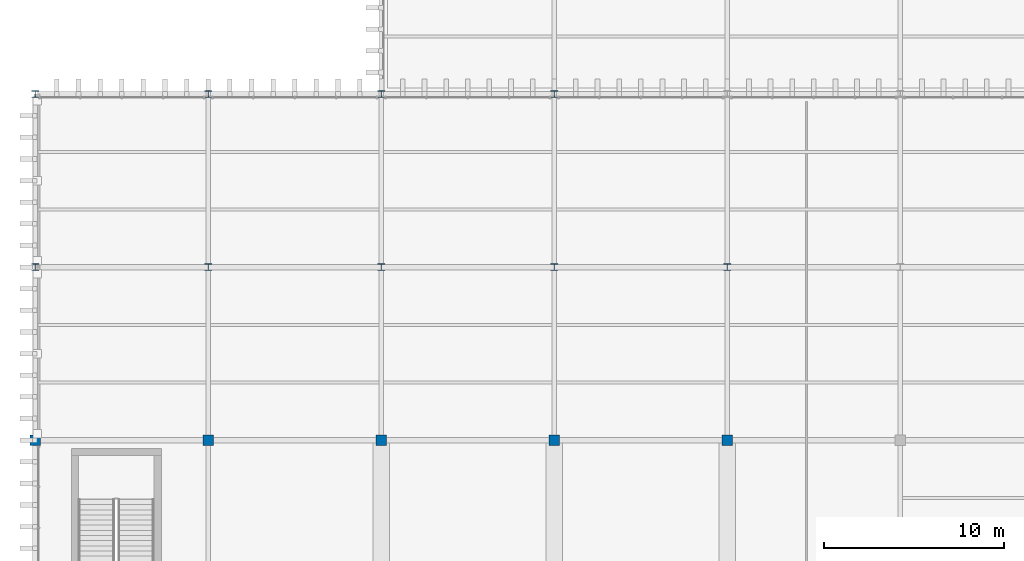
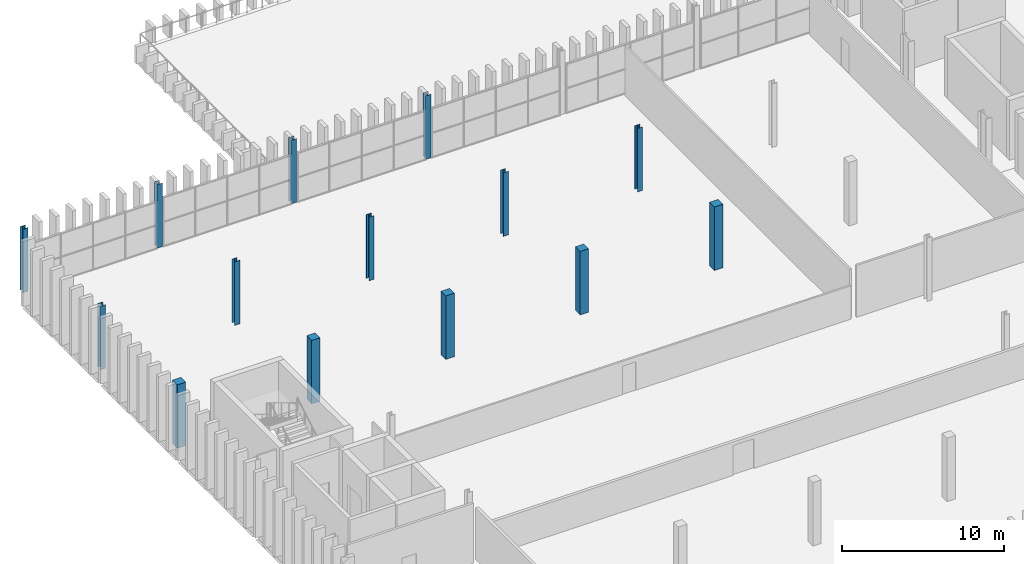
# One storey, part 6 of 99: 14 columns.
"""IFC4 building model written with IfcOpenShell, lengths in metres."""

from ifc_helpers import new_model, si_unit, direction, frame, origin, origin_2d, place, context, subcontext, project, spatial, rectangle, i_section, extrude, material, material_profile, profile_set, type_object, element, save


model = new_model("IFC4")

# Units and contexts
model_context = context("Model", 3, precision=1e-05, world=origin(), true_north=direction((0.0, 1.0)))
body_context = subcontext(model_context, "Body", "Model", "MODEL_VIEW")
ifc_project = project(units=[si_unit("LENGTHUNIT", "METRE"), si_unit("AREAUNIT", "SQUARE_METRE"), si_unit("VOLUMEUNIT", "CUBIC_METRE"), si_unit("PLANEANGLEUNIT", "RADIAN"), si_unit("MASSUNIT", "GRAM", prefix="KILO")], contexts=[model_context])

# Site, building, storey
site_placement = place(None, origin())
site = spatial("IfcSite", under=ifc_project, at=site_placement, CompositionType="ELEMENT")
building_placement = place(site_placement, origin())
building = spatial("IfcBuilding", under=site, at=building_placement, Name="Caelomonte Colonnade Arena", CompositionType="ELEMENT")
storey_placement = place(building_placement, frame((0.0, 0.0, 4.800048828125)))
storey = spatial("IfcBuildingStorey", under=building, at=storey_placement, Name="L01", CompositionType="ELEMENT", Elevation=4.800048828125)

# Columns
ifc_material_1 = material(Name="Concrete C40/50", Category="concrete")
ifc_material_profile_1 = material_profile(ifc_material_1, rectangle(XDim=0.60009765625, YDim=0.60009765625, at=origin_2d()), Name="RC600X600")
ifc_profile_set_1 = profile_set([ifc_material_profile_1], Name="Concrete C40/50")
column_type_1 = type_object("IfcColumnType", Name="STR-COL-RC06", PredefinedType="COLUMN", material=ifc_profile_set_1)
for number, where, z_axis, x_axis, name in (
    (1, (0.0, 67.199951171875, 0.0), (0.0, 0.0, 1.0), (1.0, 0.0, 0.0), "L01 column (0.0, 67.2)"),
    (2, (9.60009765625, 67.199951171875, 0.0), (0.0, 0.0, 1.0), (1.0, 0.0, 0.0), "L01 column (9.6, 67.2)"),
    (3, (19.199951171875, 67.199951171875, 0.0), (0.0, 0.0, 1.0), (1.0, 0.0, 0.0), "L01 column (19.2, 67.2)"),
    (4, (28.800048828125, 67.199951171875, 0.0), (0.0, 0.0, 1.0), (1.0, 0.0, 0.0), "L01 column (28.8, 67.2)"),
    (5, (38.39990234375, 67.199951171875, 0.0), (0.0, 0.0, 1.0), (1.0, 0.0, 0.0), "L01 column (38.4, 67.2)"),
):
    element("IfcColumn", number, at=place(storey_placement, frame(where, z_axis=z_axis, x_axis=x_axis)), inside=storey, type_object=column_type_1, Name=name, PredefinedType="COLUMN", context=body_context, shape_type="SweptSolid", body=[
        extrude(rectangle(XDim=0.60009765625, YDim=0.60009765625, at=origin_2d()), origin(), (0.0, 0.0, 1.0), 4.800048828125),
    ])
ifc_material_2 = material(Name="Wide-flange steel ASTM A992 Grade 50", Category="steel")
ifc_material_profile_2 = material_profile(ifc_material_2, i_section(OverallWidth=0.368896484375, OverallDepth=0.356201171875, WebThickness=0.01123046875, FlangeThickness=0.01806640625, FilletRadius=0.01513671875, at=origin_2d()), Name="W14X90")
ifc_profile_set_2 = profile_set([ifc_material_profile_2], Name="Wide-flange steel ASTM A992 Grade 50")
column_type_2 = type_object("IfcColumnType", Name="STR-COL-W14B", PredefinedType="COLUMN", material=ifc_profile_set_2)
for number, where, z_axis, x_axis, name in (
    (6, (0.0, 76.800048828125, 0.0), (0.0, 0.0, 1.0), (1.0, 0.0, 0.0), "L01 column (0.0, 76.8)"),
    (7, (0.0, 86.39990234375, 0.0), (0.0, 0.0, 1.0), (1.0, 0.0, 0.0), "L01 column (0.0, 86.4)"),
    (8, (9.60009765625, 76.800048828125, 0.0), (0.0, 0.0, 1.0), (1.0, 0.0, 0.0), "L01 column (9.6, 76.8)"),
    (9, (9.60009765625, 86.39990234375, 0.0), (0.0, 0.0, 1.0), (1.0, 0.0, 0.0), "L01 column (9.6, 86.4)"),
    (10, (19.199951171875, 76.800048828125, 0.0), (0.0, 0.0, 1.0), (1.0, 0.0, 0.0), "L01 column (19.2, 76.8)"),
    (11, (19.199951171875, 86.39990234375, 0.0), (0.0, 0.0, 1.0), (1.0, 0.0, 0.0), "L01 column (19.2, 86.4)"),
    (12, (28.800048828125, 76.800048828125, 0.0), (0.0, 0.0, 1.0), (1.0, 0.0, 0.0), "L01 column (28.8, 76.8)"),
    (13, (28.800048828125, 86.39990234375, 0.0), (0.0, 0.0, 1.0), (1.0, 0.0, 0.0), "L01 column (28.8, 86.4)"),
    (14, (38.39990234375, 76.800048828125, 0.0), (0.0, 0.0, 1.0), (1.0, 0.0, 0.0), "L01 column (38.4, 76.8)"),
):
    element("IfcColumn", number, at=place(storey_placement, frame(where, z_axis=z_axis, x_axis=x_axis)), inside=storey, type_object=column_type_2, Name=name, PredefinedType="COLUMN", context=body_context, shape_type="SweptSolid", body=[
        extrude(i_section(OverallWidth=0.368896484375, OverallDepth=0.356201171875, WebThickness=0.01123046875, FlangeThickness=0.01806640625, FilletRadius=0.01513671875, at=origin_2d()), origin(), (0.0, 0.0, 1.0), 4.800048828125),
    ])

save(model, "model.ifc")
